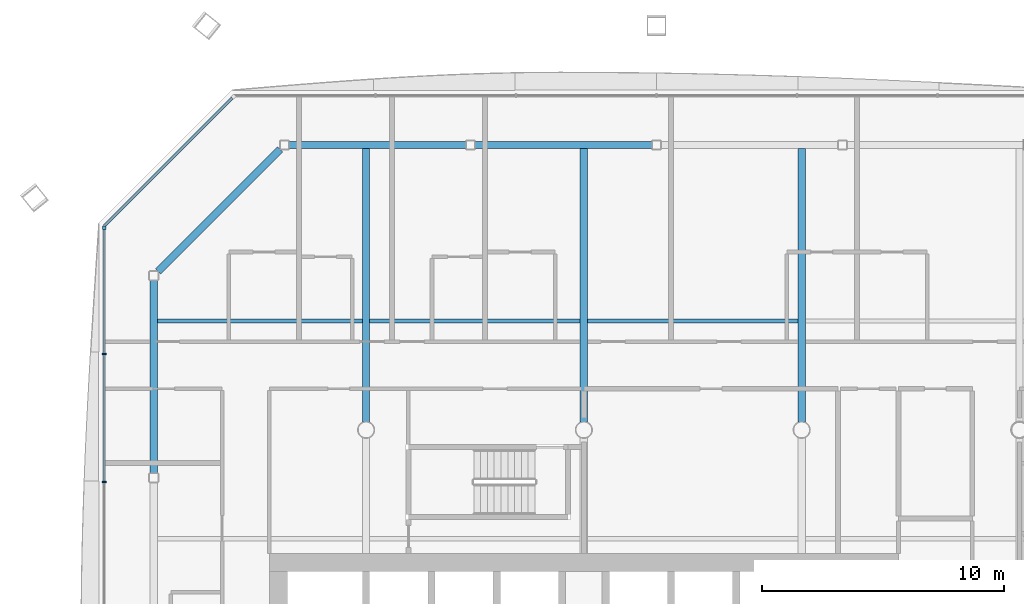
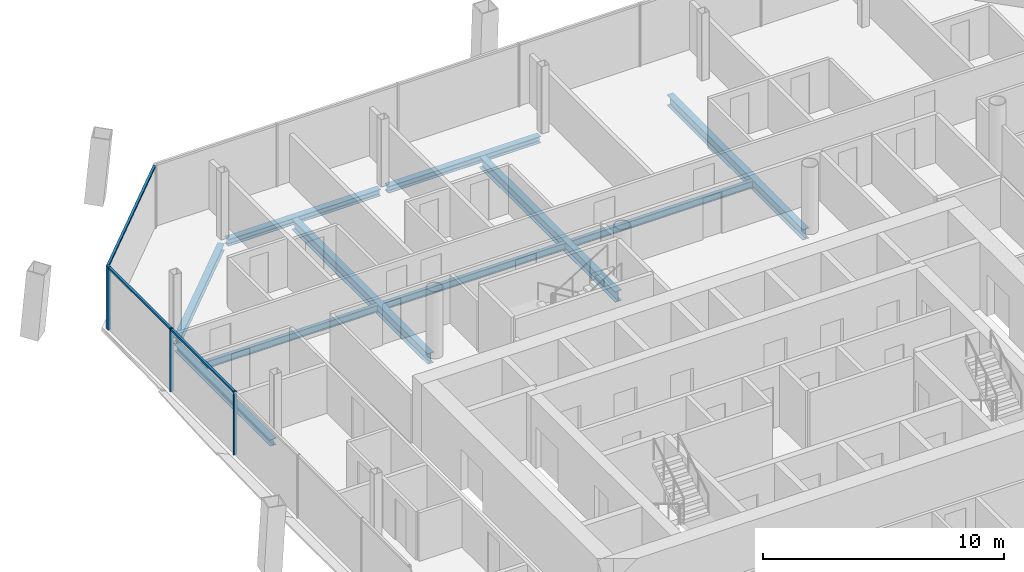
# One storey, part 8 of 21: 10 beams, 6 members, 2 elements without a shape of their own.
"""IFC4 building model written with IfcOpenShell, lengths in metres."""

from ifc_helpers import new_model, si_unit, direction, frame, origin, origin_2d, place, context, subcontext, project, spatial, rectangle, i_section, extrude, material, material_profile, profile_set, type_object, element, aggregate, save


model = new_model("IFC4")

# Units and contexts
model_context = context("Model", 3, precision=1e-05, world=origin(), true_north=direction((0.0, 1.0)))
body_context = subcontext(model_context, "Body", "Model", "MODEL_VIEW")
ifc_project = project(units=[si_unit("LENGTHUNIT", "METRE"), si_unit("AREAUNIT", "SQUARE_METRE"), si_unit("VOLUMEUNIT", "CUBIC_METRE"), si_unit("PLANEANGLEUNIT", "RADIAN"), si_unit("MASSUNIT", "GRAM", prefix="KILO")], contexts=[model_context])

# Site, building, storey
site_placement = place(None, origin())
site = spatial("IfcSite", under=ifc_project, at=site_placement, CompositionType="ELEMENT")
building_placement = place(site_placement, origin())
building = spatial("IfcBuilding", under=site, at=building_placement, Name="Tskaro Facet Tower", CompositionType="ELEMENT")
storey_placement = place(building_placement, frame((0.0, 0.0, 135.10009765625)))
storey = spatial("IfcBuildingStorey", under=building, at=storey_placement, Name="L32", CompositionType="ELEMENT", Elevation=135.10009765625)

# Curtain wall, members
ifc_material_1 = material(Name="Bronze anodised aluminium 6063-T6", Category="aluminium")
curtain_wall_type = type_object("IfcCurtainWallType", Name="Bronze hotel curtain wall (FW2)", PredefinedType="NOTDEFINED", material=ifc_material_1)
curtain_wall_1_placement = place(storey_placement, origin())
curtain_wall_1 = element("IfcCurtainWall", 1, at=curtain_wall_1_placement, inside=storey, type_object=curtain_wall_type, Name="FW2 west facet L32", PredefinedType="NOTDEFINED")
ifc_material_profile_1 = material_profile(ifc_material_1, rectangle(XDim=0.14990234375, YDim=0.14990234375, at=origin_2d()), Name="Corner post 150x150")
ifc_profile_set_1 = profile_set([ifc_material_profile_1], Name="Bronze anodised aluminium 6063-T6")
member_type_1 = type_object("IfcMemberType", Name="FW2 bronze corner post 150x150", PredefinedType="MULLION", material=ifc_profile_set_1)
member_1_placement = place(storey_placement, frame((-19.820068359375, 17.346923828125, 0.0), z_axis=(0.0, 0.0, 1.0), x_axis=(0.0, -1.0, 0.0)))
member_1 = element("IfcMember", 2, at=member_1_placement, type_object=member_type_1, Name="FW2 west corner post", PredefinedType="MULLION", context=body_context, shape_type="SweptSolid", body=[
    extrude(rectangle(XDim=0.14990234375, YDim=0.14990234375, at=origin_2d()), origin(), (0.0, 0.0, 1.0), 3.199951171875),
])
ifc_material_profile_2 = material_profile(ifc_material_1, rectangle(XDim=0.06005859375, YDim=0.14990234375, at=origin_2d()), Name="Mullion 60x150")
ifc_profile_set_2 = profile_set([ifc_material_profile_2], Name="Bronze anodised aluminium 6063-T6")
member_type_2 = type_object("IfcMemberType", Name="FW2 bronze mullion 60x150", PredefinedType="MULLION", material=ifc_profile_set_2)
member_2_placement = place(storey_placement, frame((-19.820068359375, 12.136962890625, 0.0), z_axis=(0.0, 0.0, 1.0), x_axis=(0.0, -1.0, 0.0)))
member_2 = element("IfcMember", 3, at=member_2_placement, type_object=member_type_2, Name="FW2 west mullion 1", PredefinedType="MULLION", context=body_context, shape_type="SweptSolid", body=[
    extrude(rectangle(XDim=0.06005859375, YDim=0.14990234375, at=origin_2d()), origin(), (0.0, 0.0, 1.0), 3.199951171875),
])
member_3_placement = place(storey_placement, frame((-19.820068359375, 6.851806640625, 0.0), z_axis=(0.0, 0.0, 1.0), x_axis=(0.0, -1.0, 0.0)))
member_3 = element("IfcMember", 4, at=member_3_placement, type_object=member_type_2, Name="FW2 west mullion 2", PredefinedType="MULLION", context=body_context, shape_type="SweptSolid", body=[
    extrude(rectangle(XDim=0.06005859375, YDim=0.14990234375, at=origin_2d()), origin(), (0.0, 0.0, 1.0), 3.199951171875),
])

# Curtain wall, member
curtain_wall_2_placement = place(storey_placement, origin())
curtain_wall_2 = element("IfcCurtainWall", 5, at=curtain_wall_2_placement, inside=storey, type_object=curtain_wall_type, Name="FW2 north-west facet L32", PredefinedType="NOTDEFINED")
ifc_material_profile_3 = material_profile(ifc_material_1, rectangle(XDim=0.110107421875, YDim=0.10009765625, at=origin_2d()), Name="Transom 110x100")
ifc_profile_set_3 = profile_set([ifc_material_profile_3], Name="Bronze anodised aluminium 6063-T6")
member_type_3 = type_object("IfcMemberType", Name="FW2 bronze transom 110x100", PredefinedType="USERDEFINED", material=ifc_profile_set_3)
member_4_placement = place(storey_placement, frame((-14.528076171875, 22.7138671875, 3.14990234375), z_axis=(-0.707123092197, -0.7070904698, 0.0), x_axis=(0.7070904698, -0.707123092197, 0.0)))
member_4 = element("IfcMember", 6, at=member_4_placement, type_object=member_type_3, Name="FW2 north-west transom 1.1", ObjectType="TRANSOM", PredefinedType="USERDEFINED", context=body_context, shape_type="SweptSolid", body=[
    extrude(rectangle(XDim=0.110107421875, YDim=0.10009765625, at=origin_2d()), origin(), (0.0, 0.0, 1.0), 7.48388671875),
])
aggregate(curtain_wall_2, [member_4])

# Member
member_5_placement = place(storey_placement, frame((-19.820068359375, 17.27197265625, 3.14990234375), z_axis=(0.0, -1.0, 0.0), x_axis=(1.0, 0.0, 0.0)))
member_5 = element("IfcMember", 7, at=member_5_placement, type_object=member_type_3, Name="FW2 west transom 1.1", ObjectType="TRANSOM", PredefinedType="USERDEFINED", context=body_context, shape_type="SweptSolid", body=[
    extrude(rectangle(XDim=0.110107421875, YDim=0.10009765625, at=origin_2d()), origin(), (0.0, 0.0, 1.0), 5.105224609375),
])

member_6_placement = place(storey_placement, frame((-19.820068359375, 12.10693359375, 3.14990234375), z_axis=(0.0, -1.0, 0.0), x_axis=(1.0, 0.0, 0.0)))
member_6 = element("IfcMember", 8, at=member_6_placement, type_object=member_type_3, Name="FW2 west transom 2.1", ObjectType="TRANSOM", PredefinedType="USERDEFINED", context=body_context, shape_type="SweptSolid", body=[
    extrude(rectangle(XDim=0.110107421875, YDim=0.10009765625, at=origin_2d()), origin(), (0.0, 0.0, 1.0), 5.22509765625),
])

aggregate(curtain_wall_1, [member_1, member_2, member_3, member_5, member_6])

# Beams
ifc_material_2 = material(Name="Steel S355J2", Category="steel")
ifc_material_profile_4 = material_profile(ifc_material_2, i_section(OverallWidth=0.300048828125, OverallDepth=0.340087890625, WebThickness=0.011962890625, FlangeThickness=0.021484375, FilletRadius=0.027099609375, at=origin_2d()), Name="HE 340 B")
ifc_profile_set_4 = profile_set([ifc_material_profile_4], Name="Steel S355J2")
beam_type_1 = type_object("IfcBeamType", Name="HE 340 B ring beam", PredefinedType="BEAM", material=ifc_profile_set_4)
for number, where, z_axis, x_axis, name in (
    (9, (2.820068359375, 20.77392578125, -0.31005859375), (-1.0, 0.0, 0.0), (0.0, -1.0, 0.0), "HE 340 B EB13-3"),
    (10, (-4.864013671875, 20.77392578125, -0.31005859375), (-1.0, 0.0, 0.0), (0.0, -1.0, 0.0), "HE 340 B EB14-3"),
):
    element("IfcBeam", number, at=place(storey_placement, frame(where, z_axis=z_axis, x_axis=x_axis)), inside=storey, type_object=beam_type_1, Name=name, PredefinedType="BEAM", context=body_context, shape_type="SweptSolid", body=[
        extrude(i_section(OverallWidth=0.300048828125, OverallDepth=0.340087890625, WebThickness=0.011962890625, FlangeThickness=0.021484375, FilletRadius=0.027099609375, at=origin_2d()), origin(), (0.0, 0.0, 1.0), 7.323974609375),
    ])
beam_1_placement = place(storey_placement, frame((-12.553955078125, 20.588134765625, -0.31005859375), z_axis=(-0.707106781187, -0.707106781187, 0.0), x_axis=(0.707106781187, -0.707106781187, 0.0)))
element("IfcBeam", 11, at=beam_1_placement, inside=storey, type_object=beam_type_1, Name="HE 340 B EB15-3", PredefinedType="BEAM", context=body_context, shape_type="SweptSolid", body=[
    extrude(i_section(OverallWidth=0.300048828125, OverallDepth=0.340087890625, WebThickness=0.011962890625, FlangeThickness=0.021484375, FilletRadius=0.027099609375, at=origin_2d()), origin(), (0.0, 0.0, 1.0), 7.119384765625),
])
beam_2_placement = place(storey_placement, frame((-17.77392578125, 15.18798828125, -0.31005859375), z_axis=(0.0, -1.0, 0.0), x_axis=(1.0, 0.0, 0.0)))
element("IfcBeam", 12, at=beam_2_placement, inside=storey, type_object=beam_type_1, Name="HE 340 B EB16-3", PredefinedType="BEAM", context=body_context, shape_type="SweptSolid", body=[
    extrude(i_section(OverallWidth=0.300048828125, OverallDepth=0.340087890625, WebThickness=0.011962890625, FlangeThickness=0.021484375, FilletRadius=0.027099609375, at=origin_2d()), origin(), (0.0, 0.0, 1.0), 7.98193359375),
])
ifc_material_profile_5 = material_profile(ifc_material_2, i_section(OverallWidth=0.300048828125, OverallDepth=0.5400390625, WebThickness=0.012451171875, FlangeThickness=0.02392578125, FilletRadius=0.027099609375, at=origin_2d()), Name="HE 550 A")
ifc_profile_set_5 = profile_set([ifc_material_profile_5], Name="Steel S355J2")
beam_type_2 = type_object("IfcBeamType", Name="HE 550 A long girder", PredefinedType="BEAM", material=ifc_profile_set_5)
for number, where, z_axis, x_axis, name in (
    (13, (-9.0, 9.325439453125, -0.41015625), (0.0, 1.0, 0.0), (-1.0, 0.0, 0.0), "HE 550 A LGB3-3-3"),
    (14, (0.0, 9.325439453125, -0.41015625), (0.0, 1.0, 0.0), (-1.0, 0.0, 0.0), "HE 550 A LGB4-3-3"),
    (15, (9.0, 9.325439453125, -0.41015625), (0.0, 1.0, 0.0), (-1.0, 0.0, 0.0), "HE 550 A LGB5-3-3"),
):
    element("IfcBeam", number, at=place(storey_placement, frame(where, z_axis=z_axis, x_axis=x_axis)), inside=storey, type_object=beam_type_2, Name=name, PredefinedType="BEAM", context=body_context, shape_type="SweptSolid", body=[
        extrude(i_section(OverallWidth=0.300048828125, OverallDepth=0.5400390625, WebThickness=0.012451171875, FlangeThickness=0.02392578125, FilletRadius=0.027099609375, at=origin_2d()), origin(), (0.0, 0.0, 1.0), 11.298583984375),
    ])
ifc_material_profile_6 = material_profile(ifc_material_2, i_section(OverallWidth=0.169921875, OverallDepth=0.360107421875, WebThickness=0.008056640625, FlangeThickness=0.0126953125, FilletRadius=0.01806640625, at=origin_2d()), Name="IPE 360")
ifc_profile_set_6 = profile_set([ifc_material_profile_6], Name="Steel S355J2")
beam_type_3 = type_object("IfcBeamType", Name="IPE 360 secondary beam", PredefinedType="BEAM", material=ifc_profile_set_6)
beam_3_placement = place(storey_placement, frame((-17.6240234375, 13.5, -0.320068359375), z_axis=(1.0, 0.0, 0.0), x_axis=(0.0, 1.0, 0.0)))
element("IfcBeam", 16, at=beam_3_placement, inside=storey, type_object=beam_type_3, Name="IPE 360 SB5a-1-3", PredefinedType="BEAM", context=body_context, shape_type="SweptSolid", body=[
    extrude(i_section(OverallWidth=0.169921875, OverallDepth=0.360107421875, WebThickness=0.008056640625, FlangeThickness=0.0126953125, FilletRadius=0.01806640625, at=origin_2d()), origin(), (0.0, 0.0, 1.0), 8.47412109375),
])
for number, where, z_axis, x_axis, name in (
    (17, (-8.85009765625, 13.5, -0.320068359375), (1.0, 0.0, 0.0), (0.0, 1.0, 0.0), "IPE 360 SB5a-2-3"),
    (18, (0.14990234375, 13.5, -0.320068359375), (1.0, 0.0, 0.0), (0.0, 1.0, 0.0), "IPE 360 SB5a-3-3"),
):
    element("IfcBeam", number, at=place(storey_placement, frame(where, z_axis=z_axis, x_axis=x_axis)), inside=storey, type_object=beam_type_3, Name=name, PredefinedType="BEAM", context=body_context, shape_type="SweptSolid", body=[
        extrude(i_section(OverallWidth=0.169921875, OverallDepth=0.360107421875, WebThickness=0.008056640625, FlangeThickness=0.0126953125, FilletRadius=0.01806640625, at=origin_2d()), origin(), (0.0, 0.0, 1.0), 8.7001953125),
    ])

save(model, "model.ifc")
